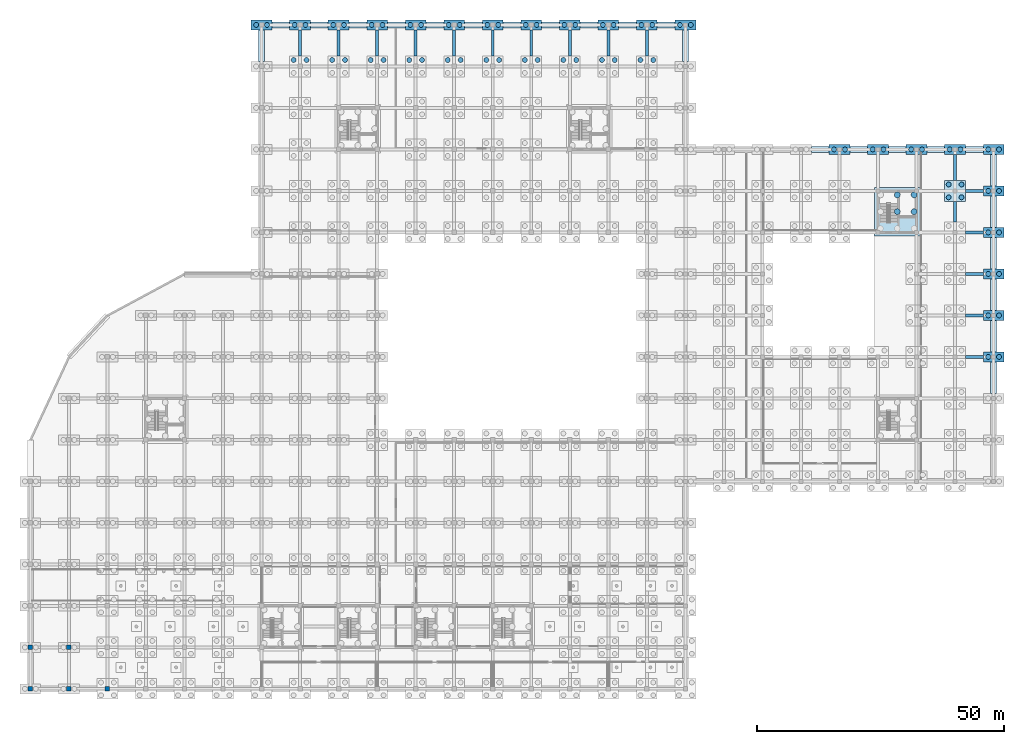
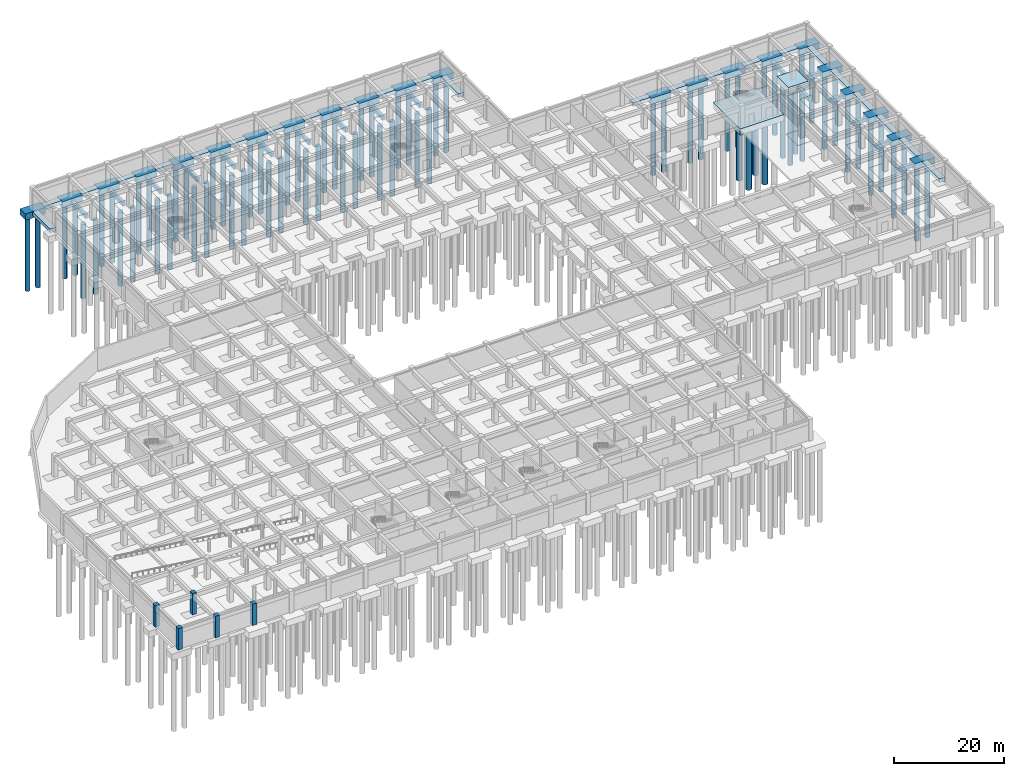
# One storey, part 11 of 31: 72 piles, 65 footings, 5 columns.
"""IFC4 building model written with IfcOpenShell, lengths in metres."""

from ifc_helpers import new_model, si_unit, direction, frame, origin, origin_2d, place, context, subcontext, project, spatial, rectangle, circle, extrude, material, material_profile, profile_set, type_object, element, save


model = new_model("IFC4")

# Units and contexts
model_context = context("Model", 3, precision=1e-05, world=origin(), true_north=direction((0.0, 1.0)))
body_context = subcontext(model_context, "Body", "Model", "MODEL_VIEW")
ifc_project = project(units=[si_unit("LENGTHUNIT", "METRE"), si_unit("AREAUNIT", "SQUARE_METRE"), si_unit("VOLUMEUNIT", "CUBIC_METRE"), si_unit("PLANEANGLEUNIT", "RADIAN"), si_unit("MASSUNIT", "GRAM", prefix="KILO")], contexts=[model_context])

# Site, building, storey
site_placement = place(None, origin())
site = spatial("IfcSite", under=ifc_project, at=site_placement, CompositionType="ELEMENT")
building_placement = place(site_placement, origin())
building = spatial("IfcBuilding", under=site, at=building_placement, Name="Zizhar Promenade General Hospital", CompositionType="ELEMENT")
storey_placement = place(building_placement, frame((0.0, 0.0, -4.800048828125)))
storey = spatial("IfcBuildingStorey", under=building, at=storey_placement, Name="B1", CompositionType="ELEMENT", Elevation=-4.800048828125)

# Footings
ifc_material_1 = material(Name="Concrete C30/37", Category="concrete")
footing_type_1 = type_object("IfcFootingType", Name="FTG-CAP2-4000", PredefinedType="PILE_CAP", material=ifc_material_1)
for number, where, z_axis, x_axis, name in (
    (1, (46.800048828125, 134.39990234375, -1.39990234375), (0.0, 0.0, 1.0), (1.0, 0.0, 0.0), "Pile Cap 7-S"),
    (2, (54.60009765625, 134.39990234375, -1.39990234375), (0.0, 0.0, 1.0), (1.0, 0.0, 0.0), "Pile Cap 8-S"),
    (3, (62.39990234375, 134.39990234375, -1.39990234375), (0.0, 0.0, 1.0), (1.0, 0.0, 0.0), "Pile Cap 9-S"),
    (4, (70.199951171875, 134.39990234375, -1.39990234375), (0.0, 0.0, 1.0), (1.0, 0.0, 0.0), "Pile Cap 10-S"),
    (5, (78.0, 134.39990234375, -1.39990234375), (0.0, 0.0, 1.0), (1.0, 0.0, 0.0), "Pile Cap 11-S"),
    (6, (85.800048828125, 134.39990234375, -1.39990234375), (0.0, 0.0, 1.0), (1.0, 0.0, 0.0), "Pile Cap 12-S"),
    (7, (93.60009765625, 134.39990234375, -1.39990234375), (0.0, 0.0, 1.0), (1.0, 0.0, 0.0), "Pile Cap 13-S"),
    (8, (101.39990234375, 134.39990234375, -1.39990234375), (0.0, 0.0, 1.0), (1.0, 0.0, 0.0), "Pile Cap 14-S"),
    (9, (109.199951171875, 134.39990234375, -1.39990234375), (0.0, 0.0, 1.0), (1.0, 0.0, 0.0), "Pile Cap 15-S"),
    (10, (117.0, 134.39990234375, -1.39990234375), (0.0, 0.0, 1.0), (1.0, 0.0, 0.0), "Pile Cap 16-S"),
    (11, (124.800048828125, 134.39990234375, -1.39990234375), (0.0, 0.0, 1.0), (1.0, 0.0, 0.0), "Pile Cap 17-S"),
    (12, (132.60009765625, 134.39990234375, -1.39990234375), (0.0, 0.0, 1.0), (1.0, 0.0, 0.0), "Pile Cap 18-S"),
    (13, (163.800048828125, 109.199951171875, -1.39990234375), (0.0, 0.0, 1.0), (1.0, 0.0, 0.0), "Pile Cap 22-P"),
    (14, (171.60009765625, 109.199951171875, -1.39990234375), (0.0, 0.0, 1.0), (1.0, 0.0, 0.0), "Pile Cap 23-P"),
    (15, (179.39990234375, 109.199951171875, -1.39990234375), (0.0, 0.0, 1.0), (1.0, 0.0, 0.0), "Pile Cap 24-P"),
    (16, (187.199951171875, 109.199951171875, -1.39990234375), (0.0, 0.0, 1.0), (1.0, 0.0, 0.0), "Pile Cap 25-P"),
    (17, (195.0, 67.199951171875, -1.39990234375), (0.0, 0.0, 1.0), (1.0, 0.0, 0.0), "Pile Cap 26-J"),
    (18, (195.0, 75.60009765625, -1.39990234375), (0.0, 0.0, 1.0), (1.0, 0.0, 0.0), "Pile Cap 26-K"),
    (19, (195.0, 84.0, -1.39990234375), (0.0, 0.0, 1.0), (1.0, 0.0, 0.0), "Pile Cap 26-L"),
    (20, (195.0, 92.39990234375, -1.39990234375), (0.0, 0.0, 1.0), (1.0, 0.0, 0.0), "Pile Cap 26-M"),
    (21, (195.0, 100.800048828125, -1.39990234375), (0.0, 0.0, 1.0), (1.0, 0.0, 0.0), "Pile Cap 26-N"),
    (22, (195.0, 109.199951171875, -1.39990234375), (0.0, 0.0, 1.0), (1.0, 0.0, 0.0), "Pile Cap 26-P"),
):
    element("IfcFooting", number, at=place(storey_placement, frame(where, z_axis=z_axis, x_axis=x_axis)), inside=storey, type_object=footing_type_1, Name=name, PredefinedType="PILE_CAP", context=body_context, shape_type="SweptSolid", body=[
        extrude(rectangle(XDim=4.199951171875, YDim=2.0, at=origin_2d()), origin(), (0.0, 0.0, 1.0), 1.39990234375),
    ])
ifc_material_2 = material(Name="Concrete C30/37", Category="concrete")
footing_type_2 = type_object("IfcFootingType", Name="FTG-CAP4-4200", PredefinedType="PILE_CAP", material=ifc_material_2)
footing_1_placement = place(storey_placement, frame((187.199951171875, 100.800048828125, -1.39990234375), z_axis=(0.0, 0.0, 1.0), x_axis=(1.0, 0.0, 0.0)))
element("IfcFooting", 23, at=footing_1_placement, inside=storey, type_object=footing_type_2, Name="Pile Cap 25-N", PredefinedType="PILE_CAP", context=body_context, shape_type="SweptSolid", body=[
    extrude(rectangle(XDim=4.199951171875, YDim=4.199951171875, at=origin_2d()), origin(), (0.0, 0.0, 1.0), 1.39990234375),
])
ifc_material_3 = material(Name="Concrete C30/37", Category="concrete")
footing_type_3 = type_object("IfcFootingType", Name="FTG-CORECAP-9200", PredefinedType="PILE_CAP", material=ifc_material_3)
footing_2_placement = place(storey_placement, frame((175.5, 96.60009765625, -1.39990234375), z_axis=(0.0, 0.0, 1.0), x_axis=(1.0, 0.0, 0.0)))
element("IfcFooting", 24, at=footing_2_placement, inside=storey, type_object=footing_type_3, Name="Core C8 Pile Cap", PredefinedType="PILE_CAP", context=body_context, shape_type="SweptSolid", body=[
    extrude(rectangle(XDim=9.199951171875, YDim=9.800048828125, at=origin_2d()), origin(), (0.0, 0.0, 1.0), 1.39990234375),
])
ifc_material_4 = material(Name="Concrete C30/37", Category="concrete")
ifc_material_profile_1 = material_profile(ifc_material_4, rectangle(XDim=1.199951171875, YDim=0.800048828125, at=origin_2d()))
ifc_profile_set_1 = profile_set([ifc_material_profile_1], Name="Concrete C30/37")
footing_type_4 = type_object("IfcFootingType", Name="FTG-STRIP-1200", PredefinedType="STRIP_FOOTING", material=ifc_profile_set_1)
footing_3_placement = place(storey_placement, frame((195.0, 59.800048828125, -0.39990234375), z_axis=(0.0, 1.0, 0.0), x_axis=(-1.0, 0.0, 0.0)))
element("IfcFooting", 25, at=footing_3_placement, inside=storey, type_object=footing_type_4, Name="Basement Wall Strip Footing B04 (3)", PredefinedType="STRIP_FOOTING", context=body_context, shape_type="SweptSolid", body=[
    extrude(rectangle(XDim=1.199951171875, YDim=0.800048828125, at=origin_2d()), origin(), (0.0, 0.0, 1.0), 6.39990234375),
])
footing_4_placement = place(storey_placement, frame((195.0, 68.199951171875, -0.39990234375), z_axis=(0.0, 1.0, 0.0), x_axis=(-1.0, 0.0, 0.0)))
element("IfcFooting", 26, at=footing_4_placement, inside=storey, type_object=footing_type_4, Name="Basement Wall Strip Footing B04 (4)", PredefinedType="STRIP_FOOTING", context=body_context, shape_type="SweptSolid", body=[
    extrude(rectangle(XDim=1.199951171875, YDim=0.800048828125, at=origin_2d()), origin(), (0.0, 0.0, 1.0), 6.400146484375),
])
for number, where, z_axis, x_axis, name in (
    (27, (195.0, 76.60009765625, -0.39990234375), (0.0, 1.0, 0.0), (-1.0, 0.0, 0.0), "Basement Wall Strip Footing B04 (5)"),
    (28, (195.0, 85.0, -0.39990234375), (0.0, 1.0, 0.0), (-1.0, 0.0, 0.0), "Basement Wall Strip Footing B04 (6)"),
):
    element("IfcFooting", number, at=place(storey_placement, frame(where, z_axis=z_axis, x_axis=x_axis)), inside=storey, type_object=footing_type_4, Name=name, PredefinedType="STRIP_FOOTING", context=body_context, shape_type="SweptSolid", body=[
        extrude(rectangle(XDim=1.199951171875, YDim=0.800048828125, at=origin_2d()), origin(), (0.0, 0.0, 1.0), 6.39990234375),
    ])
footing_5_placement = place(storey_placement, frame((195.0, 93.39990234375, -0.39990234375), z_axis=(0.0, 1.0, 0.0), x_axis=(-1.0, 0.0, 0.0)))
element("IfcFooting", 29, at=footing_5_placement, inside=storey, type_object=footing_type_4, Name="Basement Wall Strip Footing B04 (7)", PredefinedType="STRIP_FOOTING", context=body_context, shape_type="SweptSolid", body=[
    extrude(rectangle(XDim=1.199951171875, YDim=0.800048828125, at=origin_2d()), origin(), (0.0, 0.0, 1.0), 6.400146484375),
])
footing_6_placement = place(storey_placement, frame((195.0, 101.800048828125, -0.39990234375), z_axis=(0.0, 1.0, 0.0), x_axis=(-1.0, 0.0, 0.0)))
element("IfcFooting", 30, at=footing_6_placement, inside=storey, type_object=footing_type_4, Name="Basement Wall Strip Footing B04 (8)", PredefinedType="STRIP_FOOTING", context=body_context, shape_type="SweptSolid", body=[
    extrude(rectangle(XDim=1.199951171875, YDim=0.800048828125, at=origin_2d()), origin(), (0.0, 0.0, 1.0), 6.39990234375),
])
footing_7_placement = place(storey_placement, frame((192.89990234375, 109.199951171875, -0.39990234375), z_axis=(-1.0, 0.0, 0.0), x_axis=(0.0, -1.0, 0.0)))
element("IfcFooting", 31, at=footing_7_placement, inside=storey, type_object=footing_type_4, Name="Basement Wall Strip Footing B05", PredefinedType="STRIP_FOOTING", context=body_context, shape_type="SweptSolid", body=[
    extrude(rectangle(XDim=1.199951171875, YDim=0.800048828125, at=origin_2d()), origin(), (0.0, 0.0, 1.0), 3.599853515625),
])
for number, where, z_axis, x_axis, name in (
    (32, (185.10009765625, 109.199951171875, -0.39990234375), (-1.0, 0.0, 0.0), (0.0, -1.0, 0.0), "Basement Wall Strip Footing B05 (2)"),
    (33, (177.300048828125, 109.199951171875, -0.39990234375), (-1.0, 0.0, 0.0), (0.0, -1.0, 0.0), "Basement Wall Strip Footing B05 (3)"),
    (34, (169.5, 109.199951171875, -0.39990234375), (-1.0, 0.0, 0.0), (0.0, -1.0, 0.0), "Basement Wall Strip Footing B05 (4)"),
):
    element("IfcFooting", number, at=place(storey_placement, frame(where, z_axis=z_axis, x_axis=x_axis)), inside=storey, type_object=footing_type_4, Name=name, PredefinedType="STRIP_FOOTING", context=body_context, shape_type="SweptSolid", body=[
        extrude(rectangle(XDim=1.199951171875, YDim=0.800048828125, at=origin_2d()), origin(), (0.0, 0.0, 1.0), 3.60009765625),
    ])
footing_8_placement = place(storey_placement, frame((161.699951171875, 109.199951171875, -0.39990234375), z_axis=(-1.0, 0.0, 0.0), x_axis=(0.0, -1.0, 0.0)))
element("IfcFooting", 35, at=footing_8_placement, inside=storey, type_object=footing_type_4, Name="Basement Wall Strip Footing B05 (5)", PredefinedType="STRIP_FOOTING", context=body_context, shape_type="SweptSolid", body=[
    extrude(rectangle(XDim=1.199951171875, YDim=0.800048828125, at=origin_2d()), origin(), (0.0, 0.0, 1.0), 3.599853515625),
])
footing_9_placement = place(storey_placement, frame((132.60009765625, 127.0, -0.39990234375), z_axis=(0.0, 1.0, 0.0), x_axis=(-1.0, 0.0, 0.0)))
element("IfcFooting", 36, at=footing_9_placement, inside=storey, type_object=footing_type_4, Name="Basement Wall Strip Footing B06 (3)", PredefinedType="STRIP_FOOTING", context=body_context, shape_type="SweptSolid", body=[
    extrude(rectangle(XDim=1.199951171875, YDim=0.800048828125, at=origin_2d()), origin(), (0.0, 0.0, 1.0), 6.39990234375),
])
footing_10_placement = place(storey_placement, frame((130.5, 134.39990234375, -0.39990234375), z_axis=(-1.0, 0.0, 0.0), x_axis=(0.0, -1.0, 0.0)))
element("IfcFooting", 37, at=footing_10_placement, inside=storey, type_object=footing_type_4, Name="Basement Wall Strip Footing B07", PredefinedType="STRIP_FOOTING", context=body_context, shape_type="SweptSolid", body=[
    extrude(rectangle(XDim=1.199951171875, YDim=0.800048828125, at=origin_2d()), origin(), (0.0, 0.0, 1.0), 3.60009765625),
])
for number, where, z_axis, x_axis, name in (
    (38, (122.699951171875, 134.39990234375, -0.39990234375), (-1.0, 0.0, 0.0), (0.0, -1.0, 0.0), "Basement Wall Strip Footing B07 (2)"),
    (39, (114.89990234375, 134.39990234375, -0.39990234375), (-1.0, 0.0, 0.0), (0.0, -1.0, 0.0), "Basement Wall Strip Footing B07 (3)"),
):
    element("IfcFooting", number, at=place(storey_placement, frame(where, z_axis=z_axis, x_axis=x_axis)), inside=storey, type_object=footing_type_4, Name=name, PredefinedType="STRIP_FOOTING", context=body_context, shape_type="SweptSolid", body=[
        extrude(rectangle(XDim=1.199951171875, YDim=0.800048828125, at=origin_2d()), origin(), (0.0, 0.0, 1.0), 3.599853515625),
    ])
for number, where, z_axis, x_axis, name in (
    (40, (107.10009765625, 134.39990234375, -0.39990234375), (-1.0, 0.0, 0.0), (0.0, -1.0, 0.0), "Basement Wall Strip Footing B07 (4)"),
    (41, (99.300048828125, 134.39990234375, -0.39990234375), (-1.0, 0.0, 0.0), (0.0, -1.0, 0.0), "Basement Wall Strip Footing B07 (5)"),
    (42, (91.5, 134.39990234375, -0.39990234375), (-1.0, 0.0, 0.0), (0.0, -1.0, 0.0), "Basement Wall Strip Footing B07 (6)"),
):
    element("IfcFooting", number, at=place(storey_placement, frame(where, z_axis=z_axis, x_axis=x_axis)), inside=storey, type_object=footing_type_4, Name=name, PredefinedType="STRIP_FOOTING", context=body_context, shape_type="SweptSolid", body=[
        extrude(rectangle(XDim=1.199951171875, YDim=0.800048828125, at=origin_2d()), origin(), (0.0, 0.0, 1.0), 3.60009765625),
    ])
for number, where, z_axis, x_axis, name in (
    (43, (83.699951171875, 134.39990234375, -0.39990234375), (-1.0, 0.0, 0.0), (0.0, -1.0, 0.0), "Basement Wall Strip Footing B07 (7)"),
    (44, (75.89990234375, 134.39990234375, -0.39990234375), (-1.0, 0.0, 0.0), (0.0, -1.0, 0.0), "Basement Wall Strip Footing B07 (8)"),
):
    element("IfcFooting", number, at=place(storey_placement, frame(where, z_axis=z_axis, x_axis=x_axis)), inside=storey, type_object=footing_type_4, Name=name, PredefinedType="STRIP_FOOTING", context=body_context, shape_type="SweptSolid", body=[
        extrude(rectangle(XDim=1.199951171875, YDim=0.800048828125, at=origin_2d()), origin(), (0.0, 0.0, 1.0), 3.599853515625),
    ])
for number, where, z_axis, x_axis, name in (
    (45, (68.10009765625, 134.39990234375, -0.39990234375), (-1.0, 0.0, 0.0), (0.0, -1.0, 0.0), "Basement Wall Strip Footing B07 (9)"),
    (46, (60.300048828125, 134.39990234375, -0.39990234375), (-1.0, 0.0, 0.0), (0.0, -1.0, 0.0), "Basement Wall Strip Footing B07 (10)"),
    (47, (52.5, 134.39990234375, -0.39990234375), (-1.0, 0.0, 0.0), (0.0, -1.0, 0.0), "Basement Wall Strip Footing B07 (11)"),
):
    element("IfcFooting", number, at=place(storey_placement, frame(where, z_axis=z_axis, x_axis=x_axis)), inside=storey, type_object=footing_type_4, Name=name, PredefinedType="STRIP_FOOTING", context=body_context, shape_type="SweptSolid", body=[
        extrude(rectangle(XDim=1.199951171875, YDim=0.800048828125, at=origin_2d()), origin(), (0.0, 0.0, 1.0), 3.60009765625),
    ])
footing_11_placement = place(storey_placement, frame((46.800048828125, 133.39990234375, -0.39990234375), z_axis=(0.0, -1.0, 0.0), x_axis=(1.0, 0.0, 0.0)))
element("IfcFooting", 48, at=footing_11_placement, inside=storey, type_object=footing_type_4, Name="Basement Wall Strip Footing B08", PredefinedType="STRIP_FOOTING", context=body_context, shape_type="SweptSolid", body=[
    extrude(rectangle(XDim=1.199951171875, YDim=0.800048828125, at=origin_2d()), origin(), (0.0, 0.0, 1.0), 6.39990234375),
])
ifc_material_5 = material(Name="Concrete C30/37", Category="concrete")
ifc_material_profile_2 = material_profile(ifc_material_5, rectangle(XDim=0.60009765625, YDim=0.800048828125, at=origin_2d()))
ifc_profile_set_2 = profile_set([ifc_material_profile_2], Name="Concrete C30/37")
footing_type_5 = type_object("IfcFootingType", Name="FTG-TIE-600x800", PredefinedType="FOOTING_BEAM", material=ifc_profile_set_2)
for number, where, z_axis, x_axis, name in (
    (49, (54.60009765625, 128.10009765625, -0.800048828125), (0.0, 1.0, 0.0), (-1.0, 0.0, 0.0), "Seismic Ground Tie Beam Y-7-15"),
    (50, (62.39990234375, 128.10009765625, -0.800048828125), (0.0, 1.0, 0.0), (-1.0, 0.0, 0.0), "Seismic Ground Tie Beam Y-8-15"),
    (51, (70.199951171875, 128.10009765625, -0.800048828125), (0.0, 1.0, 0.0), (-1.0, 0.0, 0.0), "Seismic Ground Tie Beam Y-9-15"),
    (52, (78.0, 128.10009765625, -0.800048828125), (0.0, 1.0, 0.0), (-1.0, 0.0, 0.0), "Seismic Ground Tie Beam Y-10-15"),
    (53, (85.800048828125, 128.10009765625, -0.800048828125), (0.0, 1.0, 0.0), (-1.0, 0.0, 0.0), "Seismic Ground Tie Beam Y-11-15"),
    (54, (93.60009765625, 128.10009765625, -0.800048828125), (0.0, 1.0, 0.0), (-1.0, 0.0, 0.0), "Seismic Ground Tie Beam Y-12-15"),
    (55, (101.39990234375, 128.10009765625, -0.800048828125), (0.0, 1.0, 0.0), (-1.0, 0.0, 0.0), "Seismic Ground Tie Beam Y-13-15"),
    (56, (109.199951171875, 128.10009765625, -0.800048828125), (0.0, 1.0, 0.0), (-1.0, 0.0, 0.0), "Seismic Ground Tie Beam Y-14-15"),
    (57, (117.0, 128.10009765625, -0.800048828125), (0.0, 1.0, 0.0), (-1.0, 0.0, 0.0), "Seismic Ground Tie Beam Y-15-15"),
    (58, (124.800048828125, 128.10009765625, -0.800048828125), (0.0, 1.0, 0.0), (-1.0, 0.0, 0.0), "Seismic Ground Tie Beam Y-16-15"),
):
    element("IfcFooting", number, at=place(storey_placement, frame(where, z_axis=z_axis, x_axis=x_axis)), inside=storey, type_object=footing_type_5, Name=name, PredefinedType="FOOTING_BEAM", context=body_context, shape_type="SweptSolid", body=[
        extrude(rectangle(XDim=0.60009765625, YDim=0.800048828125, at=origin_2d()), origin(), (0.0, 0.0, 1.0), 5.2998046875),
    ])
for number, where, z_axis, x_axis, name in (
    (59, (189.300048828125, 67.199951171875, -0.800048828125), (1.0, 0.0, 0.0), (0.0, 1.0, 0.0), "Seismic Ground Tie Beam X-24-8"),
    (60, (189.300048828125, 75.60009765625, -0.800048828125), (1.0, 0.0, 0.0), (0.0, 1.0, 0.0), "Seismic Ground Tie Beam X-24-9"),
    (61, (189.300048828125, 84.0, -0.800048828125), (1.0, 0.0, 0.0), (0.0, 1.0, 0.0), "Seismic Ground Tie Beam X-24-10"),
    (62, (189.300048828125, 92.39990234375, -0.800048828125), (1.0, 0.0, 0.0), (0.0, 1.0, 0.0), "Seismic Ground Tie Beam X-24-11"),
):
    element("IfcFooting", number, at=place(storey_placement, frame(where, z_axis=z_axis, x_axis=x_axis)), inside=storey, type_object=footing_type_5, Name=name, PredefinedType="FOOTING_BEAM", context=body_context, shape_type="SweptSolid", body=[
        extrude(rectangle(XDim=0.60009765625, YDim=0.800048828125, at=origin_2d()), origin(), (0.0, 0.0, 1.0), 3.599853515625),
    ])
footing_12_placement = place(storey_placement, frame((187.199951171875, 94.5, -0.800048828125), z_axis=(0.0, 1.0, 0.0), x_axis=(-1.0, 0.0, 0.0)))
element("IfcFooting", 63, at=footing_12_placement, inside=storey, type_object=footing_type_5, Name="Seismic Ground Tie Beam Y-24-11", PredefinedType="FOOTING_BEAM", context=body_context, shape_type="SweptSolid", body=[
    extrude(rectangle(XDim=0.60009765625, YDim=0.800048828125, at=origin_2d()), origin(), (0.0, 0.0, 1.0), 4.199951171875),
])
footing_13_placement = place(storey_placement, frame((189.300048828125, 100.800048828125, -0.800048828125), z_axis=(1.0, 0.0, 0.0), x_axis=(0.0, 1.0, 0.0)))
element("IfcFooting", 64, at=footing_13_placement, inside=storey, type_object=footing_type_5, Name="Seismic Ground Tie Beam X-24-12", PredefinedType="FOOTING_BEAM", context=body_context, shape_type="SweptSolid", body=[
    extrude(rectangle(XDim=0.60009765625, YDim=0.800048828125, at=origin_2d()), origin(), (0.0, 0.0, 1.0), 3.599853515625),
])
footing_14_placement = place(storey_placement, frame((187.199951171875, 102.89990234375, -0.800048828125), z_axis=(0.0, 1.0, 0.0), x_axis=(-1.0, 0.0, 0.0)))
element("IfcFooting", 65, at=footing_14_placement, inside=storey, type_object=footing_type_5, Name="Seismic Ground Tie Beam Y-24-12", PredefinedType="FOOTING_BEAM", context=body_context, shape_type="SweptSolid", body=[
    extrude(rectangle(XDim=0.60009765625, YDim=0.800048828125, at=origin_2d()), origin(), (0.0, 0.0, 1.0), 5.300048828125),
])

# Piles
ifc_material_6 = material(Name="Concrete C30/37", Category="concrete")
ifc_material_profile_3 = material_profile(ifc_material_6, circle(Radius=0.5, at=origin_2d()))
ifc_profile_set_3 = profile_set([ifc_material_profile_3], Name="Concrete C30/37")
pile_type_1 = type_object("IfcPileType", Name="PIL-BORED-1000", PredefinedType="BORED", material=ifc_profile_set_3)
for number, where, z_axis, x_axis, name in (
    (66, (45.699951171875, 134.39990234375, -1.300048828125), (0.0, 0.0, -1.0), (1.0, 0.0, 0.0), "Bored Pile 7-S-1"),
    (67, (47.89990234375, 134.39990234375, -1.300048828125), (0.0, 0.0, -1.0), (1.0, 0.0, 0.0), "Bored Pile 7-S-2"),
    (68, (53.300048828125, 127.300048828125, -1.300048828125), (0.0, 0.0, -1.0), (1.0, 0.0, 0.0), "Bored Pile 8-R-2"),
    (69, (55.89990234375, 127.300048828125, -1.300048828125), (0.0, 0.0, -1.0), (1.0, 0.0, 0.0), "Bored Pile 8-R-4"),
    (70, (53.5, 134.39990234375, -1.300048828125), (0.0, 0.0, -1.0), (1.0, 0.0, 0.0), "Bored Pile 8-S-1"),
    (71, (55.699951171875, 134.39990234375, -1.300048828125), (0.0, 0.0, -1.0), (1.0, 0.0, 0.0), "Bored Pile 8-S-2"),
    (72, (61.10009765625, 127.300048828125, -1.300048828125), (0.0, 0.0, -1.0), (1.0, 0.0, 0.0), "Bored Pile 9-R-2"),
    (73, (63.699951171875, 127.300048828125, -1.300048828125), (0.0, 0.0, -1.0), (1.0, 0.0, 0.0), "Bored Pile 9-R-4"),
    (74, (61.300048828125, 134.39990234375, -1.300048828125), (0.0, 0.0, -1.0), (1.0, 0.0, 0.0), "Bored Pile 9-S-1"),
    (75, (63.5, 134.39990234375, -1.300048828125), (0.0, 0.0, -1.0), (1.0, 0.0, 0.0), "Bored Pile 9-S-2"),
    (76, (68.89990234375, 127.300048828125, -1.300048828125), (0.0, 0.0, -1.0), (1.0, 0.0, 0.0), "Bored Pile 10-R-2"),
    (77, (71.5, 127.300048828125, -1.300048828125), (0.0, 0.0, -1.0), (1.0, 0.0, 0.0), "Bored Pile 10-R-4"),
    (78, (69.10009765625, 134.39990234375, -1.300048828125), (0.0, 0.0, -1.0), (1.0, 0.0, 0.0), "Bored Pile 10-S-1"),
    (79, (71.300048828125, 134.39990234375, -1.300048828125), (0.0, 0.0, -1.0), (1.0, 0.0, 0.0), "Bored Pile 10-S-2"),
    (80, (76.699951171875, 127.300048828125, -1.300048828125), (0.0, 0.0, -1.0), (1.0, 0.0, 0.0), "Bored Pile 11-R-2"),
    (81, (79.300048828125, 127.300048828125, -1.300048828125), (0.0, 0.0, -1.0), (1.0, 0.0, 0.0), "Bored Pile 11-R-4"),
    (82, (76.89990234375, 134.39990234375, -1.300048828125), (0.0, 0.0, -1.0), (1.0, 0.0, 0.0), "Bored Pile 11-S-1"),
    (83, (79.10009765625, 134.39990234375, -1.300048828125), (0.0, 0.0, -1.0), (1.0, 0.0, 0.0), "Bored Pile 11-S-2"),
    (84, (84.5, 127.300048828125, -1.300048828125), (0.0, 0.0, -1.0), (1.0, 0.0, 0.0), "Bored Pile 12-R-2"),
    (85, (87.10009765625, 127.300048828125, -1.300048828125), (0.0, 0.0, -1.0), (1.0, 0.0, 0.0), "Bored Pile 12-R-4"),
    (86, (84.699951171875, 134.39990234375, -1.300048828125), (0.0, 0.0, -1.0), (1.0, 0.0, 0.0), "Bored Pile 12-S-1"),
    (87, (86.89990234375, 134.39990234375, -1.300048828125), (0.0, 0.0, -1.0), (1.0, 0.0, 0.0), "Bored Pile 12-S-2"),
    (88, (92.300048828125, 127.300048828125, -1.300048828125), (0.0, 0.0, -1.0), (1.0, 0.0, 0.0), "Bored Pile 13-R-2"),
    (89, (94.89990234375, 127.300048828125, -1.300048828125), (0.0, 0.0, -1.0), (1.0, 0.0, 0.0), "Bored Pile 13-R-4"),
    (90, (92.5, 134.39990234375, -1.300048828125), (0.0, 0.0, -1.0), (1.0, 0.0, 0.0), "Bored Pile 13-S-1"),
    (91, (94.699951171875, 134.39990234375, -1.300048828125), (0.0, 0.0, -1.0), (1.0, 0.0, 0.0), "Bored Pile 13-S-2"),
    (92, (100.10009765625, 127.300048828125, -1.300048828125), (0.0, 0.0, -1.0), (1.0, 0.0, 0.0), "Bored Pile 14-R-2"),
    (93, (102.699951171875, 127.300048828125, -1.300048828125), (0.0, 0.0, -1.0), (1.0, 0.0, 0.0), "Bored Pile 14-R-4"),
    (94, (100.300048828125, 134.39990234375, -1.300048828125), (0.0, 0.0, -1.0), (1.0, 0.0, 0.0), "Bored Pile 14-S-1"),
    (95, (102.5, 134.39990234375, -1.300048828125), (0.0, 0.0, -1.0), (1.0, 0.0, 0.0), "Bored Pile 14-S-2"),
    (96, (107.89990234375, 127.300048828125, -1.300048828125), (0.0, 0.0, -1.0), (1.0, 0.0, 0.0), "Bored Pile 15-R-2"),
    (97, (110.5, 127.300048828125, -1.300048828125), (0.0, 0.0, -1.0), (1.0, 0.0, 0.0), "Bored Pile 15-R-4"),
    (98, (108.10009765625, 134.39990234375, -1.300048828125), (0.0, 0.0, -1.0), (1.0, 0.0, 0.0), "Bored Pile 15-S-1"),
    (99, (110.300048828125, 134.39990234375, -1.300048828125), (0.0, 0.0, -1.0), (1.0, 0.0, 0.0), "Bored Pile 15-S-2"),
    (100, (115.699951171875, 127.300048828125, -1.300048828125), (0.0, 0.0, -1.0), (1.0, 0.0, 0.0), "Bored Pile 16-R-2"),
    (101, (118.300048828125, 127.300048828125, -1.300048828125), (0.0, 0.0, -1.0), (1.0, 0.0, 0.0), "Bored Pile 16-R-4"),
    (102, (115.89990234375, 134.39990234375, -1.300048828125), (0.0, 0.0, -1.0), (1.0, 0.0, 0.0), "Bored Pile 16-S-1"),
    (103, (118.10009765625, 134.39990234375, -1.300048828125), (0.0, 0.0, -1.0), (1.0, 0.0, 0.0), "Bored Pile 16-S-2"),
    (104, (123.5, 127.300048828125, -1.300048828125), (0.0, 0.0, -1.0), (1.0, 0.0, 0.0), "Bored Pile 17-R-2"),
    (105, (126.10009765625, 127.300048828125, -1.300048828125), (0.0, 0.0, -1.0), (1.0, 0.0, 0.0), "Bored Pile 17-R-4"),
    (106, (123.699951171875, 134.39990234375, -1.300048828125), (0.0, 0.0, -1.0), (1.0, 0.0, 0.0), "Bored Pile 17-S-1"),
    (107, (125.89990234375, 134.39990234375, -1.300048828125), (0.0, 0.0, -1.0), (1.0, 0.0, 0.0), "Bored Pile 17-S-2"),
    (108, (131.5, 134.39990234375, -1.300048828125), (0.0, 0.0, -1.0), (1.0, 0.0, 0.0), "Bored Pile 18-S-1"),
    (109, (133.699951171875, 134.39990234375, -1.300048828125), (0.0, 0.0, -1.0), (1.0, 0.0, 0.0), "Bored Pile 18-S-2"),
    (110, (162.699951171875, 109.199951171875, -1.300048828125), (0.0, 0.0, -1.0), (1.0, 0.0, 0.0), "Bored Pile 22-P-1"),
    (111, (164.89990234375, 109.199951171875, -1.300048828125), (0.0, 0.0, -1.0), (1.0, 0.0, 0.0), "Bored Pile 22-P-2"),
    (112, (170.5, 109.199951171875, -1.300048828125), (0.0, 0.0, -1.0), (1.0, 0.0, 0.0), "Bored Pile 23-P-1"),
    (113, (172.699951171875, 109.199951171875, -1.300048828125), (0.0, 0.0, -1.0), (1.0, 0.0, 0.0), "Bored Pile 23-P-2"),
    (114, (178.300048828125, 109.199951171875, -1.300048828125), (0.0, 0.0, -1.0), (1.0, 0.0, 0.0), "Bored Pile 24-P-1"),
    (115, (180.5, 109.199951171875, -1.300048828125), (0.0, 0.0, -1.0), (1.0, 0.0, 0.0), "Bored Pile 24-P-2"),
    (116, (185.89990234375, 99.5, -1.300048828125), (0.0, 0.0, -1.0), (1.0, 0.0, 0.0), "Bored Pile 25-N-1"),
    (117, (185.89990234375, 102.10009765625, -1.300048828125), (0.0, 0.0, -1.0), (1.0, 0.0, 0.0), "Bored Pile 25-N-2"),
    (118, (188.5, 99.5, -1.300048828125), (0.0, 0.0, -1.0), (1.0, 0.0, 0.0), "Bored Pile 25-N-3"),
    (119, (188.5, 102.10009765625, -1.300048828125), (0.0, 0.0, -1.0), (1.0, 0.0, 0.0), "Bored Pile 25-N-4"),
    (120, (186.10009765625, 109.199951171875, -1.300048828125), (0.0, 0.0, -1.0), (1.0, 0.0, 0.0), "Bored Pile 25-P-1"),
    (121, (188.300048828125, 109.199951171875, -1.300048828125), (0.0, 0.0, -1.0), (1.0, 0.0, 0.0), "Bored Pile 25-P-2"),
    (122, (193.89990234375, 67.199951171875, -1.300048828125), (0.0, 0.0, -1.0), (1.0, 0.0, 0.0), "Bored Pile 26-J-1"),
    (123, (196.10009765625, 67.199951171875, -1.300048828125), (0.0, 0.0, -1.0), (1.0, 0.0, 0.0), "Bored Pile 26-J-2"),
    (124, (193.89990234375, 75.60009765625, -1.300048828125), (0.0, 0.0, -1.0), (1.0, 0.0, 0.0), "Bored Pile 26-K-1"),
    (125, (196.10009765625, 75.60009765625, -1.300048828125), (0.0, 0.0, -1.0), (1.0, 0.0, 0.0), "Bored Pile 26-K-2"),
    (126, (193.89990234375, 84.0, -1.300048828125), (0.0, 0.0, -1.0), (1.0, 0.0, 0.0), "Bored Pile 26-L-1"),
    (127, (196.10009765625, 84.0, -1.300048828125), (0.0, 0.0, -1.0), (1.0, 0.0, 0.0), "Bored Pile 26-L-2"),
    (128, (193.89990234375, 92.39990234375, -1.300048828125), (0.0, 0.0, -1.0), (1.0, 0.0, 0.0), "Bored Pile 26-M-1"),
    (129, (196.10009765625, 92.39990234375, -1.300048828125), (0.0, 0.0, -1.0), (1.0, 0.0, 0.0), "Bored Pile 26-M-2"),
    (130, (193.89990234375, 100.800048828125, -1.300048828125), (0.0, 0.0, -1.0), (1.0, 0.0, 0.0), "Bored Pile 26-N-1"),
    (131, (196.10009765625, 100.800048828125, -1.300048828125), (0.0, 0.0, -1.0), (1.0, 0.0, 0.0), "Bored Pile 26-N-2"),
    (132, (193.89990234375, 109.199951171875, -1.300048828125), (0.0, 0.0, -1.0), (1.0, 0.0, 0.0), "Bored Pile 26-P-1"),
    (133, (196.10009765625, 109.199951171875, -1.300048828125), (0.0, 0.0, -1.0), (1.0, 0.0, 0.0), "Bored Pile 26-P-2"),
):
    element("IfcPile", number, at=place(storey_placement, frame(where, z_axis=z_axis, x_axis=x_axis)), inside=storey, type_object=pile_type_1, Name=name, PredefinedType="BORED", context=body_context, shape_type="SweptSolid", body=[
        extrude(circle(Radius=0.5, at=origin_2d()), origin(), (0.0, 0.0, 1.0), 16.5),
    ])
ifc_material_7 = material(Name="Concrete C30/37", Category="concrete")
ifc_material_profile_4 = material_profile(ifc_material_7, circle(Radius=0.60009765625, at=origin_2d()))
ifc_profile_set_4 = profile_set([ifc_material_profile_4], Name="Concrete C30/37")
pile_type_2 = type_object("IfcPileType", Name="PIL-BORED-1200", PredefinedType="BORED", material=ifc_profile_set_4)
for number, where, z_axis, x_axis, name in (
    (134, (175.5, 96.60009765625, -1.300048828125), (0.0, 0.0, -1.0), (1.0, 0.0, 0.0), "Core C8 Bored Pile 05"),
    (135, (175.5, 100.0, -1.300048828125), (0.0, 0.0, -1.0), (1.0, 0.0, 0.0), "Core C8 Bored Pile 06"),
    (136, (178.89990234375, 96.60009765625, -1.300048828125), (0.0, 0.0, -1.0), (1.0, 0.0, 0.0), "Core C8 Bored Pile 08"),
    (137, (178.89990234375, 100.0, -1.300048828125), (0.0, 0.0, -1.0), (1.0, 0.0, 0.0), "Core C8 Bored Pile 09"),
):
    element("IfcPile", number, at=place(storey_placement, frame(where, z_axis=z_axis, x_axis=x_axis)), inside=storey, type_object=pile_type_2, Name=name, PredefinedType="BORED", context=body_context, shape_type="SweptSolid", body=[
        extrude(circle(Radius=0.60009765625, at=origin_2d()), origin(), (0.0, 0.0, 1.0), 16.5),
    ])

# Columns
ifc_material_8 = material(Name="Concrete C40/50", Category="concrete")
ifc_material_profile_5 = material_profile(ifc_material_8, rectangle(XDim=0.89990234375, YDim=0.89990234375, at=origin_2d()))
ifc_profile_set_5 = profile_set([ifc_material_profile_5], Name="Concrete C40/50")
column_type = type_object("IfcColumnType", Name="COL-RC-900", PredefinedType="COLUMN", material=ifc_profile_set_5)
for number, where, z_axis, x_axis, name in (
    (138, (0.0, 0.0, 0.0), (0.0, 0.0, 1.0), (1.0, 0.0, 0.0), "Column 1-A (B1)"),
    (139, (0.0, 8.39990234375, 0.0), (0.0, 0.0, 1.0), (1.0, 0.0, 0.0), "Column 1-B (B1)"),
    (140, (7.800048828125, 0.0, 0.0), (0.0, 0.0, 1.0), (1.0, 0.0, 0.0), "Column 2-A (B1)"),
    (141, (7.800048828125, 8.39990234375, 0.0), (0.0, 0.0, 1.0), (1.0, 0.0, 0.0), "Column 2-B (B1)"),
    (142, (15.60009765625, 0.0, 0.0), (0.0, 0.0, 1.0), (1.0, 0.0, 0.0), "Column 3-A (B1)"),
):
    element("IfcColumn", number, at=place(storey_placement, frame(where, z_axis=z_axis, x_axis=x_axis)), inside=storey, type_object=column_type, Name=name, PredefinedType="COLUMN", context=body_context, shape_type="SweptSolid", body=[
        extrude(rectangle(XDim=0.89990234375, YDim=0.89990234375, at=origin_2d()), origin(), (0.0, 0.0, 1.0), 4.800048828125),
    ])

save(model, "model.ifc")
